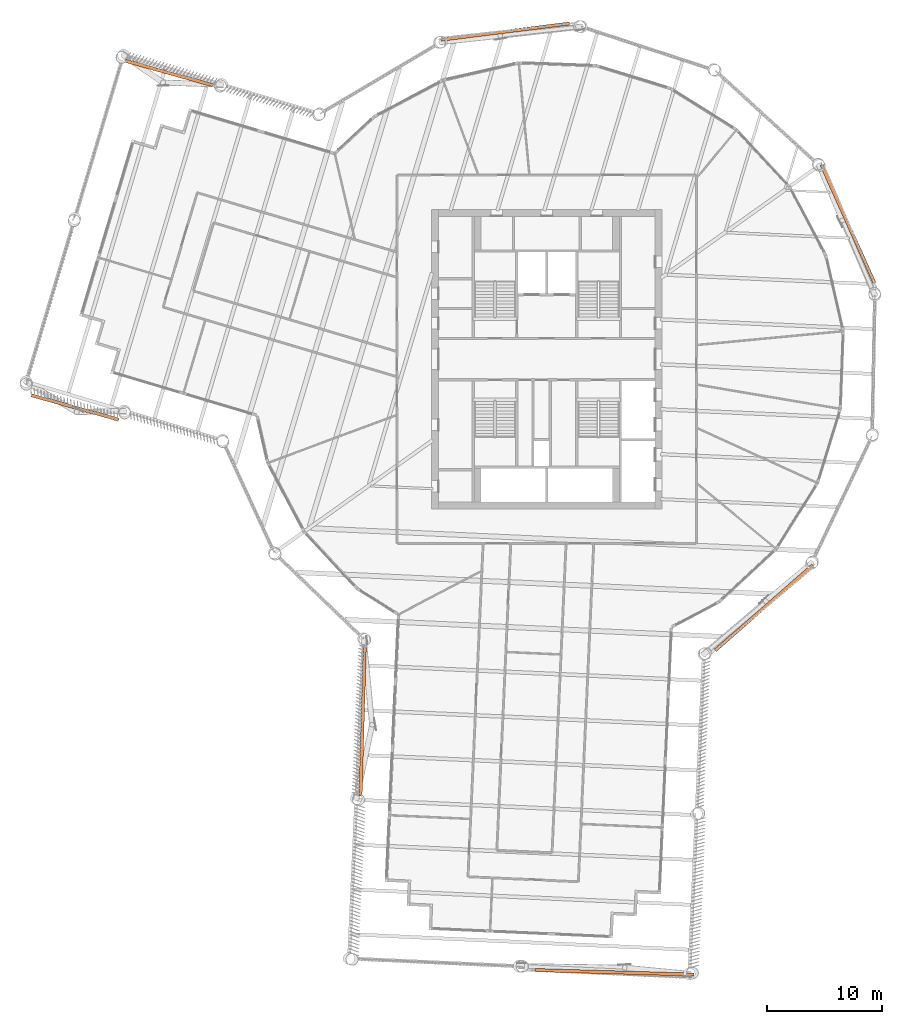
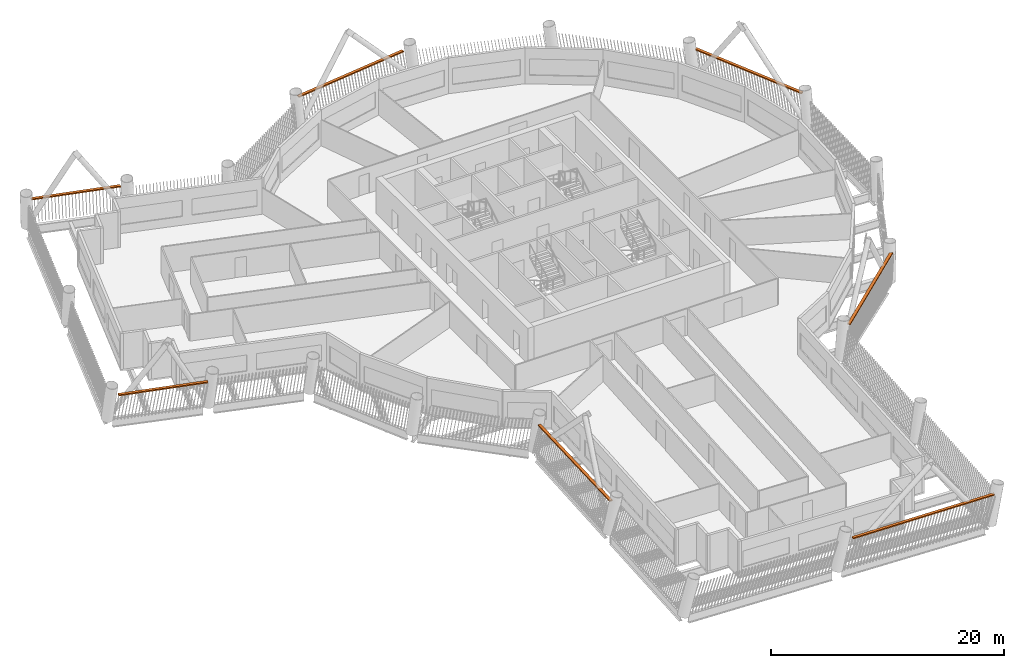
# One storey, part 24 of 24: 7 proxies.
"""IFC4 building model written with IfcOpenShell, lengths in metres."""

import ifcopenshell
import ifcopenshell.guid

model = None  # the IFC model being written
_history = None  # IfcOwnerHistory: only IFC2X3 demands one
_inside = {}  # id of a spatial element -> (the spatial element, [elements in it])
_under = {}  # id of a project, library or spatial element -> (it, [spatial elements below it])
_declared = {}  # id of a project -> (the project, [libraries it declares])
_typed = {}  # id of a type object -> (the type object, [elements of that type])
_made_of = {}  # id of a material, layer set ... -> (it, [elements and type objects made of it])


def new_model(schema):
    """Start an empty IFC model of exactly this schema.

    Asked for "IFC4X3", IfcOpenShell would pick the latest addendum, in which some entities
    have other attributes; the version numbers below select the first issue.
    IFC2X3 requires an IfcOwnerHistory on every rooted entity: one is made here for all.
    """
    global model, _history
    if schema == "IFC4X3":
        model = ifcopenshell.file(schema_version=(4, 3, 0, 0))
    else:
        model = ifcopenshell.file(schema=schema)
    _inside.clear()
    _under.clear()
    _declared.clear()
    _typed.clear()
    _made_of.clear()
    _history = None
    if model.schema == "IFC2X3":
        org = make("IfcOrganization", Name="unknown")
        user = make(
            "IfcPersonAndOrganization",
            ThePerson=make("IfcPerson", FamilyName="unknown"),
            TheOrganization=org,
        )
        app = make(
            "IfcApplication",
            ApplicationDeveloper=org,
            Version="unknown",
            ApplicationFullName="unknown",
            ApplicationIdentifier="unknown",
        )
        _history = make(
            "IfcOwnerHistory",
            OwningUser=user,
            OwningApplication=app,
            ChangeAction="ADDED",
            CreationDate=0,
        )
    return model


def make(cls, **values):
    """One entity of the class cls with the attributes given. An attribute that is None is left unset."""
    return model.create_entity(
        cls, **{name: value for name, value in values.items() if value is not None}
    )


def rooted(cls, **values):
    """An entity with a GlobalId (a new one), such as an element, a storey or a relation."""
    return make(cls, GlobalId=ifcopenshell.guid.new(), OwnerHistory=_history, **values)


def si_unit(unit_type, name, prefix=None):
    """IfcSIUnit, for example si_unit("LENGTHUNIT", "METRE", prefix="MILLI")."""
    return make("IfcSIUnit", UnitType=unit_type, Prefix=prefix, Name=name)


def assignment(units):
    """IfcUnitAssignment: the units of a project."""
    return None if units is None else make("IfcUnitAssignment", Units=units)


def point(xyz):
    """IfcCartesianPoint."""
    return None if xyz is None else make("IfcCartesianPoint", Coordinates=xyz)


def direction(xyz):
    """IfcDirection."""
    return None if xyz is None else make("IfcDirection", DirectionRatios=xyz)


def frame(location, z_axis=None, x_axis=None):
    """IfcAxis2Placement3D, a coordinate frame: its origin and axes. An axis left out is left unset."""
    return make(
        "IfcAxis2Placement3D",
        Location=point(location),
        Axis=direction(z_axis),
        RefDirection=direction(x_axis),
    )


def frame_2d(location, x_axis=None):
    """IfcAxis2Placement2D, a coordinate frame in the plane: its origin and x axis."""
    return make(
        "IfcAxis2Placement2D", Location=point(location), RefDirection=direction(x_axis)
    )


def origin():
    """The frame at (0, 0, 0) with its axes left unset."""
    return frame((0.0, 0.0, 0.0))


def origin_2d():
    """The frame at (0, 0) in the plane with its x axis left unset."""
    return frame_2d((0.0, 0.0))


def place(relative_to, where):
    """IfcLocalPlacement: puts the frame where relative to a parent placement (None: the world)."""
    return make(
        "IfcLocalPlacement", PlacementRelTo=relative_to, RelativePlacement=where
    )


def context(
    kind, dimensions, precision=None, world=None, true_north=None, identifier=None
):
    """IfcGeometricRepresentationContext, for example the 3D "Model" context."""
    return make(
        "IfcGeometricRepresentationContext",
        ContextIdentifier=identifier,
        ContextType=kind,
        CoordinateSpaceDimension=dimensions,
        Precision=precision,
        WorldCoordinateSystem=world,
        TrueNorth=true_north,
    )


def subcontext(parent, identifier, kind, view, scale=None):
    """IfcGeometricRepresentationSubContext, for example "Body" below "Model"."""
    return make(
        "IfcGeometricRepresentationSubContext",
        ContextIdentifier=identifier,
        ContextType=kind,
        ParentContext=parent,
        TargetScale=scale,
        TargetView=view,
    )


def project(units=None, contexts=None):
    """IfcProject with its units and contexts."""
    return rooted(
        "IfcProject",
        Name="project",
        RepresentationContexts=contexts,
        UnitsInContext=assignment(units),
    )


def spatial(cls, under=None, at=None, **own):
    """A site, building, storey or space (cls), placed at a placement, below another one or the project."""
    s = rooted(cls, ObjectPlacement=at, **own)
    if under is not None:
        _under.setdefault(under.id(), (under, []))[1].append(s)
    return s


def profile(cls, at=None, kind="AREA", **sizes):
    """A parametric profile (cls). Its sizes go by their IFC names, for example OverallWidth=200.0."""
    return make(cls, ProfileType=kind, Position=at, **sizes)


def rectangle(**sizes):
    """IfcRectangleProfileDef."""
    return profile("IfcRectangleProfileDef", **sizes)


def extrude(swept, where, along, depth):
    """IfcExtrudedAreaSolid: the profile swept, set in the frame where, extruded along a direction by depth."""
    return make(
        "IfcExtrudedAreaSolid",
        SweptArea=swept,
        Position=where,
        ExtrudedDirection=direction(along),
        Depth=depth,
    )


def shape(context_of_items, identifier, shape_type, items):
    """IfcShapeRepresentation: the items that make up one representation, for example the "Body"."""
    return make(
        "IfcShapeRepresentation",
        ContextOfItems=context_of_items,
        RepresentationIdentifier=identifier,
        RepresentationType=shape_type,
        Items=items,
    )


def material(Name=None, Category=None):
    """IfcMaterial."""
    return make("IfcMaterial", Name=Name, Category=Category)


def made_of(thing, what):
    """Note that an element or type object is made of a material, layer set ...; save() writes the relation."""
    if what is not None:
        _made_of.setdefault(what.id(), (what, []))[1].append(thing)
    return thing


def type_object(cls, material=None, **own):
    """A type object (cls), such as IfcWallType, which elements share."""
    return made_of(rooted(cls, **own), material)


def element(
    cls,
    number,
    at=None,
    inside=None,
    cuts=None,
    type_object=None,
    material=None,
    context=None,
    identifier="Body",
    shape_type=None,
    held_by="IfcProductDefinitionShape",
    body=None,
    shapes=None,
    **own,
):
    """One element of the class cls, such as IfcWall. Its Tag is "e" and its number.

    at: its placement. inside: the storey or other place that contains it. cuts: it is an
    opening in that element (IfcRelVoidsElement). A single representation is given by context,
    identifier, shape_type and body (its items); several are given by shapes. held_by: the class
    of the entity that holds the representations. save() writes the other relations.
    """
    e = rooted(cls, Tag="e%d" % number, ObjectPlacement=at, **own)
    if body is not None:
        shapes = [shape(context, identifier, shape_type, body)]
    if shapes is not None:
        e.Representation = make(held_by, Representations=shapes)
    if inside is not None:
        _inside.setdefault(inside.id(), (inside, []))[1].append(e)
    if cuts is not None:
        rooted(
            "IfcRelVoidsElement", RelatingBuildingElement=cuts, RelatedOpeningElement=e
        )
    if type_object is not None:
        _typed.setdefault(type_object.id(), (type_object, []))[1].append(e)
    return made_of(e, material)


def aggregate(whole, parts):
    """IfcRelAggregates: a whole, such as a stair, and the parts it consists of."""
    return rooted("IfcRelAggregates", RelatingObject=whole, RelatedObjects=parts)


def save(model, path):
    """Write the relations noted so far, then the file.

    IfcRelAggregates (storeys below a building ...), IfcRelContainedInSpatialStructure (elements
    in a storey), IfcRelDefinesByType, IfcRelAssociatesMaterial and IfcRelDeclares: one each for
    every whole, place, type object, material and project.
    """
    for whole, parts in _under.values():
        aggregate(whole, parts)
    for where, things in _inside.values():
        rooted(
            "IfcRelContainedInSpatialStructure",
            RelatedElements=things,
            RelatingStructure=where,
        )
    for kind, things in _typed.values():
        rooted("IfcRelDefinesByType", RelatedObjects=things, RelatingType=kind)
    for what, things in _made_of.values():
        rooted("IfcRelAssociatesMaterial", RelatedObjects=things, RelatingMaterial=what)
    for by, libraries in _declared.values():
        rooted("IfcRelDeclares", RelatingContext=by, RelatedDefinitions=libraries)
    model.write(path)


model = new_model("IFC4")

# Units and contexts
model_context = context("Model", 3, precision=1e-05, world=origin(), true_north=direction((0.0, 1.0)))
body_context = subcontext(model_context, "Body", "Model", "MODEL_VIEW")
ifc_project = project(units=[si_unit("LENGTHUNIT", "METRE"), si_unit("AREAUNIT", "SQUARE_METRE"), si_unit("VOLUMEUNIT", "CUBIC_METRE"), si_unit("PLANEANGLEUNIT", "RADIAN"), si_unit("MASSUNIT", "GRAM", prefix="KILO")], contexts=[model_context])

# Site, building, storey
site_placement = place(None, origin())
site = spatial("IfcSite", under=ifc_project, at=site_placement, CompositionType="ELEMENT")
building_placement = place(site_placement, origin())
building = spatial("IfcBuilding", under=site, at=building_placement, Name="Tarsis Ring Headquarters", CompositionType="ELEMENT")
storey_placement = place(building_placement, frame((0.0, 0.0, 216.0)))
storey = spatial("IfcBuildingStorey", under=building, at=storey_placement, Name="L50", CompositionType="ELEMENT", Elevation=216.0)

# Proxies
ifc_material = material(Name="Structural steel S355", Category="steel")
building_element_proxy_type = type_object("IfcBuildingElementProxyType", Name="Screen bracket plate", PredefinedType="USERDEFINED", material=ifc_material)
proxy_1_placement = place(storey_placement, frame((-16.003173828125, -31.50146484375, 2.949951171875), z_axis=(0.0, 0.0, 1.0), x_axis=(-0.028619491372, -0.999590378462, 0.0)))
element("IfcBuildingElementProxy", 1, at=proxy_1_placement, inside=storey, type_object=building_element_proxy_type, Name="Screen bracket L50-01", ObjectType="Bracket", PredefinedType="USERDEFINED", context=body_context, shape_type="SweptSolid", body=[
    extrude(rectangle(XDim=12.90234375, YDim=0.280029296875, at=origin_2d()), origin(), (0.0, 0.0, 1.0), 0.1201171875),
])
proxy_2_placement = place(storey_placement, frame((5.87744140625, -53.284912109375, 2.949951171875), z_axis=(0.0, 0.0, 1.0), x_axis=(0.999590377463, -0.028619526265, 0.0)))
element("IfcBuildingElementProxy", 2, at=proxy_2_placement, inside=storey, type_object=building_element_proxy_type, Name="Screen bracket L50-04", ObjectType="Bracket", PredefinedType="USERDEFINED", context=body_context, shape_type="SweptSolid", body=[
    extrude(rectangle(XDim=13.800048828125, YDim=0.280029296875, at=origin_2d()), origin(), (0.0, 0.0, 1.0), 0.1201171875),
])
for number, where, z_axis, x_axis, name in (
    (3, (18.883544921875, -21.599853515625, 2.949951171875), (0.0, 0.0, 1.0), (0.752859885267, 0.658180821018, 0.0), "Screen bracket L50-07"),
    (4, (26.171630859375, 11.755859375, 2.949951171875), (0.0, 0.0, 1.0), (-0.409743963417, 0.912200572486, 0.0), "Screen bracket L50-10"),
    (5, (-3.60400390625, 28.46337890625, 2.949951171875), (0.0, 0.0, 1.0), (-0.992079163135, -0.125614227195, 0.0), "Screen bracket L50-13"),
):
    element("IfcBuildingElementProxy", number, at=place(storey_placement, frame(where, z_axis=z_axis, x_axis=x_axis)), inside=storey, type_object=building_element_proxy_type, Name=name, ObjectType="Bracket", PredefinedType="USERDEFINED", context=body_context, shape_type="SweptSolid", body=[
        extrude(rectangle(XDim=11.248779296875, YDim=0.280029296875, at=origin_2d()), origin(), (0.0, 0.0, 1.0), 0.1201171875),
    ])
for number, where, z_axis, x_axis, name in (
    (6, (-32.859619140625, 24.874755859375, 2.949951171875), (0.0, 0.0, 1.0), (-0.962974553002, 0.269592303804, 0.0), "Screen bracket L50-16"),
    (7, (-40.99853515625, -4.197509765625, 2.949951171875), (0.0, 0.0, 1.0), (0.962974581234, -0.269592202962, 0.0), "Screen bracket L50-19"),
):
    element("IfcBuildingElementProxy", number, at=place(storey_placement, frame(where, z_axis=z_axis, x_axis=x_axis)), inside=storey, type_object=building_element_proxy_type, Name=name, ObjectType="Bracket", PredefinedType="USERDEFINED", context=body_context, shape_type="SweptSolid", body=[
        extrude(rectangle(XDim=7.90234375, YDim=0.280029296875, at=origin_2d()), origin(), (0.0, 0.0, 1.0), 0.1201171875),
    ])

save(model, "model.ifc")
